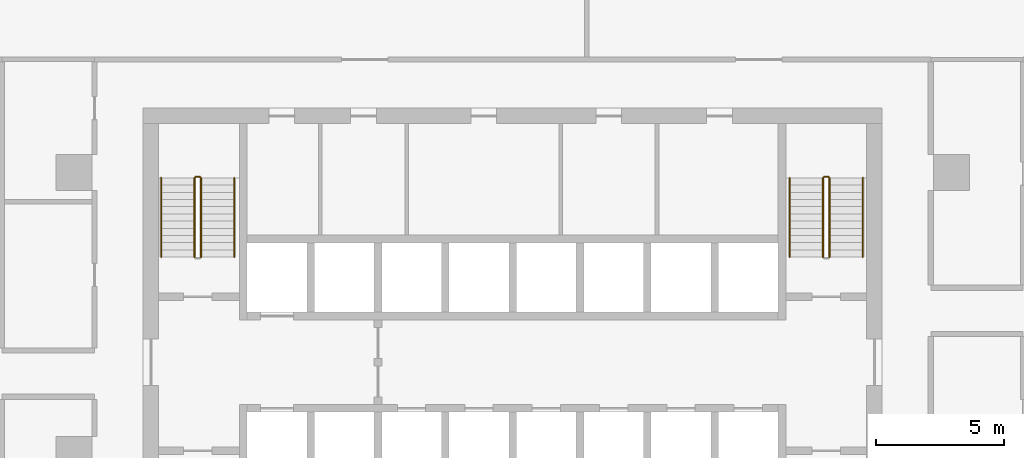
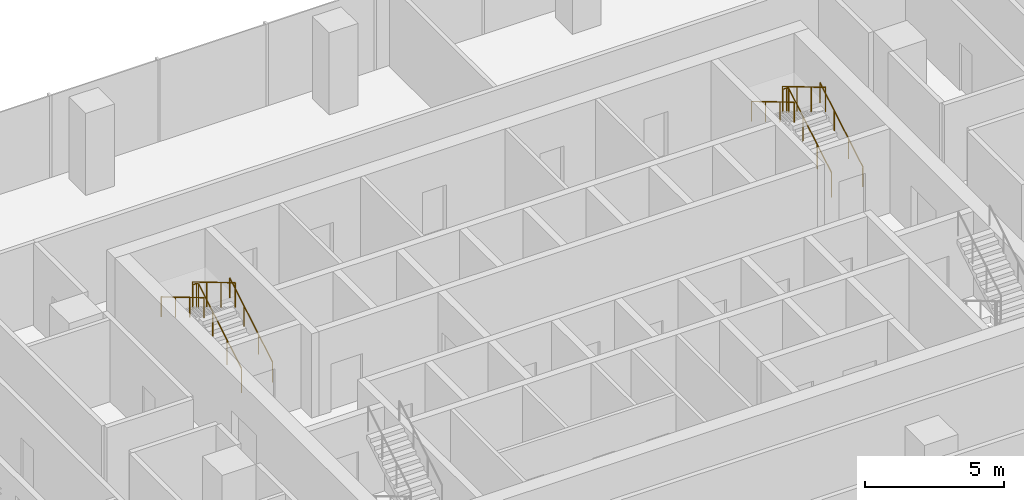
# One storey, part 14 of 14: 8 railings.
"""IFC4 building model written with IfcOpenShell, lengths in metres."""

from ifc_helpers import new_model, si_unit, direction, frame, origin, origin_2d, place, context, subcontext, project, spatial, circle, extrude, material, type_object, element, save


model = new_model("IFC4")

# Units and contexts
model_context = context("Model", 3, precision=1e-05, world=origin(), true_north=direction((0.0, 1.0)))
body_context = subcontext(model_context, "Body", "Model", "MODEL_VIEW")
ifc_project = project(units=[si_unit("LENGTHUNIT", "METRE"), si_unit("AREAUNIT", "SQUARE_METRE"), si_unit("VOLUMEUNIT", "CUBIC_METRE"), si_unit("PLANEANGLEUNIT", "RADIAN"), si_unit("MASSUNIT", "GRAM", prefix="KILO")], contexts=[model_context])

# Site, building, storey
site_placement = place(None, origin())
site = spatial("IfcSite", under=ifc_project, at=site_placement, CompositionType="ELEMENT")
building_placement = place(site_placement, origin())
building = spatial("IfcBuilding", under=site, at=building_placement, Name="Mopane Tessera Tower", CompositionType="ELEMENT")
storey_placement = place(building_placement, frame((0.0, 0.0, 165.0)))
storey = spatial("IfcBuildingStorey", under=building, at=storey_placement, Name="L33", CompositionType="ELEMENT", Elevation=165.0)

# Railings
ifc_material_1 = material(Name="Powder-coated steel balustrade", Category="steel")
railing_type_1 = type_object("IfcRailingType", Name="Escape stair guard 1100 mm", PredefinedType="GUARDRAIL", material=ifc_material_1)
railing_1_placement = place(storey_placement, frame((-12.14990234375, 7.699951171875, 0.166748046875)))
element("IfcRailing", 1, at=railing_1_placement, inside=storey, type_object=railing_type_1, Name="L33 ST2 stair guard 1", PredefinedType="GUARDRAIL", context=body_context, shape_type="SweptSolid", body=[
    extrude(circle(Radius=0.02392578125, at=origin_2d()), frame((0.0, 0.0, 1.076171875), z_axis=(0.0, 0.859308565015, 0.511457515432), x_axis=(-1.0, 0.0, 0.0)), (0.0, 0.0, 1.0), 3.58447265625),
    extrude(circle(Radius=0.02392578125, at=origin_2d()), frame((0.0, 3.080078125, 2.9091796875), z_axis=(-0.707106781187, 0.707106781187, 0.0), x_axis=(-0.707106781187, -0.707106781187, 0.0)), (0.0, 0.0, 1.0), 0.07080078125),
    extrude(circle(Radius=0.02392578125, at=origin_2d()), frame((-0.050048828125, 3.130126953125, 2.9091796875), z_axis=(-1.0, 0.0, 0.0), x_axis=(0.0, -1.0, 0.0)), (0.0, 0.0, 1.0), 0.150146484375),
    extrude(circle(Radius=0.02099609375, at=origin_2d()), origin(), (0.0, 0.0, 1.0), 1.052001953125),
    extrude(circle(Radius=0.02099609375, at=origin_2d()), frame((0.0, 1.026611328125, 0.611083984375)), (0.0, 0.0, 1.0), 1.052001953125),
    extrude(circle(Radius=0.02099609375, at=origin_2d()), frame((0.0, 2.053466796875, 1.22216796875)), (0.0, 0.0, 1.0), 1.052001953125),
    extrude(circle(Radius=0.02099609375, at=origin_2d()), frame((0.0, 3.080078125, 1.833251953125)), (0.0, 0.0, 1.0), 1.052001953125),
    extrude(circle(Radius=0.02099609375, at=origin_2d()), frame((-0.050048828125, 3.130126953125, 1.833251953125)), (0.0, 0.0, 1.0), 1.052001953125),
    extrude(circle(Radius=0.02099609375, at=origin_2d()), frame((-0.2001953125, 3.130126953125, 1.833251953125)), (0.0, 0.0, 1.0), 1.052001953125),
])
railing_2_placement = place(storey_placement, frame((-12.39990234375, 10.780029296875, 2.166748046875)))
element("IfcRailing", 2, at=railing_2_placement, inside=storey, type_object=railing_type_1, Name="L33 ST2 stair guard 2", PredefinedType="GUARDRAIL", context=body_context, shape_type="SweptSolid", body=[
    extrude(circle(Radius=0.02392578125, at=origin_2d()), frame((0.0, 0.0, 1.076171875), z_axis=(0.0, -0.859308565015, 0.511457515432), x_axis=(1.0, 0.0, 0.0)), (0.0, 0.0, 1.0), 3.58447265625),
    extrude(circle(Radius=0.02099609375, at=origin_2d()), origin(), (0.0, 0.0, 1.0), 1.052001953125),
    extrude(circle(Radius=0.02099609375, at=origin_2d()), frame((0.0, -1.026611328125, 0.611083984375)), (0.0, 0.0, 1.0), 1.052001953125),
    extrude(circle(Radius=0.02099609375, at=origin_2d()), frame((0.0, -2.053466796875, 1.22216796875)), (0.0, 0.0, 1.0), 1.052001953125),
    extrude(circle(Radius=0.02099609375, at=origin_2d()), frame((0.0, -3.080078125, 1.833251953125)), (0.0, 0.0, 1.0), 1.052001953125),
])
railing_3_placement = place(storey_placement, frame((12.35009765625, 7.699951171875, 0.166748046875)))
element("IfcRailing", 3, at=railing_3_placement, inside=storey, type_object=railing_type_1, Name="L33 ST4 stair guard 1", PredefinedType="GUARDRAIL", context=body_context, shape_type="SweptSolid", body=[
    extrude(circle(Radius=0.02392578125, at=origin_2d()), frame((0.0, 0.0, 1.076171875), z_axis=(0.0, 0.859308565015, 0.511457515432), x_axis=(-1.0, 0.0, 0.0)), (0.0, 0.0, 1.0), 3.58447265625),
    extrude(circle(Radius=0.02392578125, at=origin_2d()), frame((0.0, 3.080078125, 2.9091796875), z_axis=(-0.707106781187, 0.707106781187, 0.0), x_axis=(-0.707106781187, -0.707106781187, 0.0)), (0.0, 0.0, 1.0), 0.07080078125),
    extrude(circle(Radius=0.02392578125, at=origin_2d()), frame((-0.050048828125, 3.130126953125, 2.9091796875), z_axis=(-1.0, 0.0, 0.0), x_axis=(0.0, -1.0, 0.0)), (0.0, 0.0, 1.0), 0.150146484375),
    extrude(circle(Radius=0.02099609375, at=origin_2d()), origin(), (0.0, 0.0, 1.0), 1.052001953125),
    extrude(circle(Radius=0.02099609375, at=origin_2d()), frame((0.0, 1.026611328125, 0.611083984375)), (0.0, 0.0, 1.0), 1.052001953125),
    extrude(circle(Radius=0.02099609375, at=origin_2d()), frame((0.0, 2.053466796875, 1.22216796875)), (0.0, 0.0, 1.0), 1.052001953125),
    extrude(circle(Radius=0.02099609375, at=origin_2d()), frame((0.0, 3.080078125, 1.833251953125)), (0.0, 0.0, 1.0), 1.052001953125),
    extrude(circle(Radius=0.02099609375, at=origin_2d()), frame((-0.050048828125, 3.130126953125, 1.833251953125)), (0.0, 0.0, 1.0), 1.052001953125),
    extrude(circle(Radius=0.02099609375, at=origin_2d()), frame((-0.2001953125, 3.130126953125, 1.833251953125)), (0.0, 0.0, 1.0), 1.052001953125),
])
railing_4_placement = place(storey_placement, frame((12.10009765625, 10.780029296875, 2.166748046875)))
element("IfcRailing", 4, at=railing_4_placement, inside=storey, type_object=railing_type_1, Name="L33 ST4 stair guard 2", PredefinedType="GUARDRAIL", context=body_context, shape_type="SweptSolid", body=[
    extrude(circle(Radius=0.02392578125, at=origin_2d()), frame((0.0, 0.0, 1.076171875), z_axis=(0.0, -0.859308565015, 0.511457515432), x_axis=(1.0, 0.0, 0.0)), (0.0, 0.0, 1.0), 3.58447265625),
    extrude(circle(Radius=0.02099609375, at=origin_2d()), origin(), (0.0, 0.0, 1.0), 1.052001953125),
    extrude(circle(Radius=0.02099609375, at=origin_2d()), frame((0.0, -1.026611328125, 0.611083984375)), (0.0, 0.0, 1.0), 1.052001953125),
    extrude(circle(Radius=0.02099609375, at=origin_2d()), frame((0.0, -2.053466796875, 1.22216796875)), (0.0, 0.0, 1.0), 1.052001953125),
    extrude(circle(Radius=0.02099609375, at=origin_2d()), frame((0.0, -3.080078125, 1.833251953125)), (0.0, 0.0, 1.0), 1.052001953125),
])
ifc_material_2 = material(Name="Powder-coated steel balustrade", Category="steel")
railing_type_2 = type_object("IfcRailingType", Name="Escape stair handrail 900 mm", PredefinedType="HANDRAIL", material=ifc_material_2)
railing_5_placement = place(storey_placement, frame((-10.85009765625, 7.699951171875, 0.166748046875)))
element("IfcRailing", 5, at=railing_5_placement, inside=storey, type_object=railing_type_2, Name="L33 ST2 stair handrail 1", PredefinedType="HANDRAIL", context=body_context, shape_type="SweptSolid", body=[
    extrude(circle(Radius=0.02392578125, at=origin_2d()), frame((0.0, 0.0, 0.8759765625), z_axis=(0.0, 0.859308565015, 0.511457515432), x_axis=(-1.0, 0.0, 0.0)), (0.0, 0.0, 1.0), 3.58447265625),
    extrude(circle(Radius=0.02099609375, at=origin_2d()), origin(), (0.0, 0.0, 1.0), 0.851806640625),
    extrude(circle(Radius=0.02099609375, at=origin_2d()), frame((0.0, 1.026611328125, 0.611083984375)), (0.0, 0.0, 1.0), 0.851806640625),
    extrude(circle(Radius=0.02099609375, at=origin_2d()), frame((0.0, 2.053466796875, 1.22216796875)), (0.0, 0.0, 1.0), 0.851806640625),
    extrude(circle(Radius=0.02099609375, at=origin_2d()), frame((0.0, 3.080078125, 1.833251953125)), (0.0, 0.0, 1.0), 0.851806640625),
])
railing_6_placement = place(storey_placement, frame((-13.699951171875, 10.780029296875, 2.166748046875)))
element("IfcRailing", 6, at=railing_6_placement, inside=storey, type_object=railing_type_2, Name="L33 ST2 stair handrail 2", PredefinedType="HANDRAIL", context=body_context, shape_type="SweptSolid", body=[
    extrude(circle(Radius=0.02392578125, at=origin_2d()), frame((0.0, 0.0, 0.8759765625), z_axis=(0.0, -0.859308565015, 0.511457515432), x_axis=(1.0, 0.0, 0.0)), (0.0, 0.0, 1.0), 3.58447265625),
    extrude(circle(Radius=0.02099609375, at=origin_2d()), origin(), (0.0, 0.0, 1.0), 0.851806640625),
    extrude(circle(Radius=0.02099609375, at=origin_2d()), frame((0.0, -1.026611328125, 0.611083984375)), (0.0, 0.0, 1.0), 0.851806640625),
    extrude(circle(Radius=0.02099609375, at=origin_2d()), frame((0.0, -2.053466796875, 1.22216796875)), (0.0, 0.0, 1.0), 0.851806640625),
    extrude(circle(Radius=0.02099609375, at=origin_2d()), frame((0.0, -3.080078125, 1.833251953125)), (0.0, 0.0, 1.0), 0.851806640625),
])
railing_7_placement = place(storey_placement, frame((13.64990234375, 7.699951171875, 0.166748046875)))
element("IfcRailing", 7, at=railing_7_placement, inside=storey, type_object=railing_type_2, Name="L33 ST4 stair handrail 1", PredefinedType="HANDRAIL", context=body_context, shape_type="SweptSolid", body=[
    extrude(circle(Radius=0.02392578125, at=origin_2d()), frame((0.0, 0.0, 0.8759765625), z_axis=(0.0, 0.859308565015, 0.511457515432), x_axis=(-1.0, 0.0, 0.0)), (0.0, 0.0, 1.0), 3.58447265625),
    extrude(circle(Radius=0.02099609375, at=origin_2d()), origin(), (0.0, 0.0, 1.0), 0.851806640625),
    extrude(circle(Radius=0.02099609375, at=origin_2d()), frame((0.0, 1.026611328125, 0.611083984375)), (0.0, 0.0, 1.0), 0.851806640625),
    extrude(circle(Radius=0.02099609375, at=origin_2d()), frame((0.0, 2.053466796875, 1.22216796875)), (0.0, 0.0, 1.0), 0.851806640625),
    extrude(circle(Radius=0.02099609375, at=origin_2d()), frame((0.0, 3.080078125, 1.833251953125)), (0.0, 0.0, 1.0), 0.851806640625),
])
railing_8_placement = place(storey_placement, frame((10.800048828125, 10.780029296875, 2.166748046875)))
element("IfcRailing", 8, at=railing_8_placement, inside=storey, type_object=railing_type_2, Name="L33 ST4 stair handrail 2", PredefinedType="HANDRAIL", context=body_context, shape_type="SweptSolid", body=[
    extrude(circle(Radius=0.02392578125, at=origin_2d()), frame((0.0, 0.0, 0.8759765625), z_axis=(0.0, -0.859308565015, 0.511457515432), x_axis=(1.0, 0.0, 0.0)), (0.0, 0.0, 1.0), 3.58447265625),
    extrude(circle(Radius=0.02099609375, at=origin_2d()), origin(), (0.0, 0.0, 1.0), 0.851806640625),
    extrude(circle(Radius=0.02099609375, at=origin_2d()), frame((0.0, -1.026611328125, 0.611083984375)), (0.0, 0.0, 1.0), 0.851806640625),
    extrude(circle(Radius=0.02099609375, at=origin_2d()), frame((0.0, -2.053466796875, 1.22216796875)), (0.0, 0.0, 1.0), 0.851806640625),
    extrude(circle(Radius=0.02099609375, at=origin_2d()), frame((0.0, -3.080078125, 1.833251953125)), (0.0, 0.0, 1.0), 0.851806640625),
])

save(model, "model.ifc")
